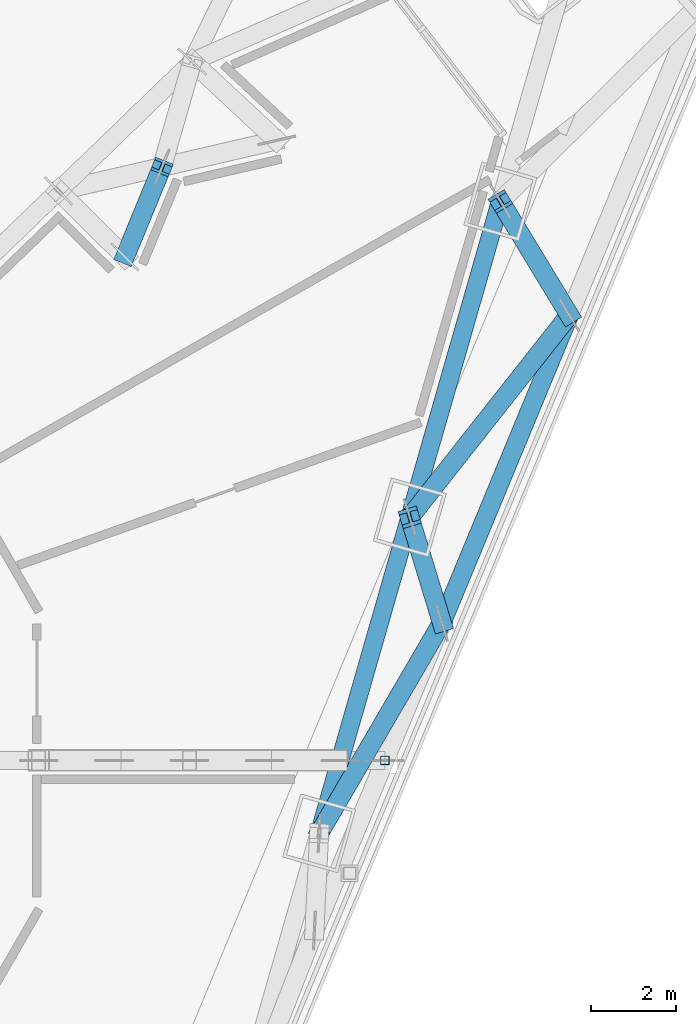
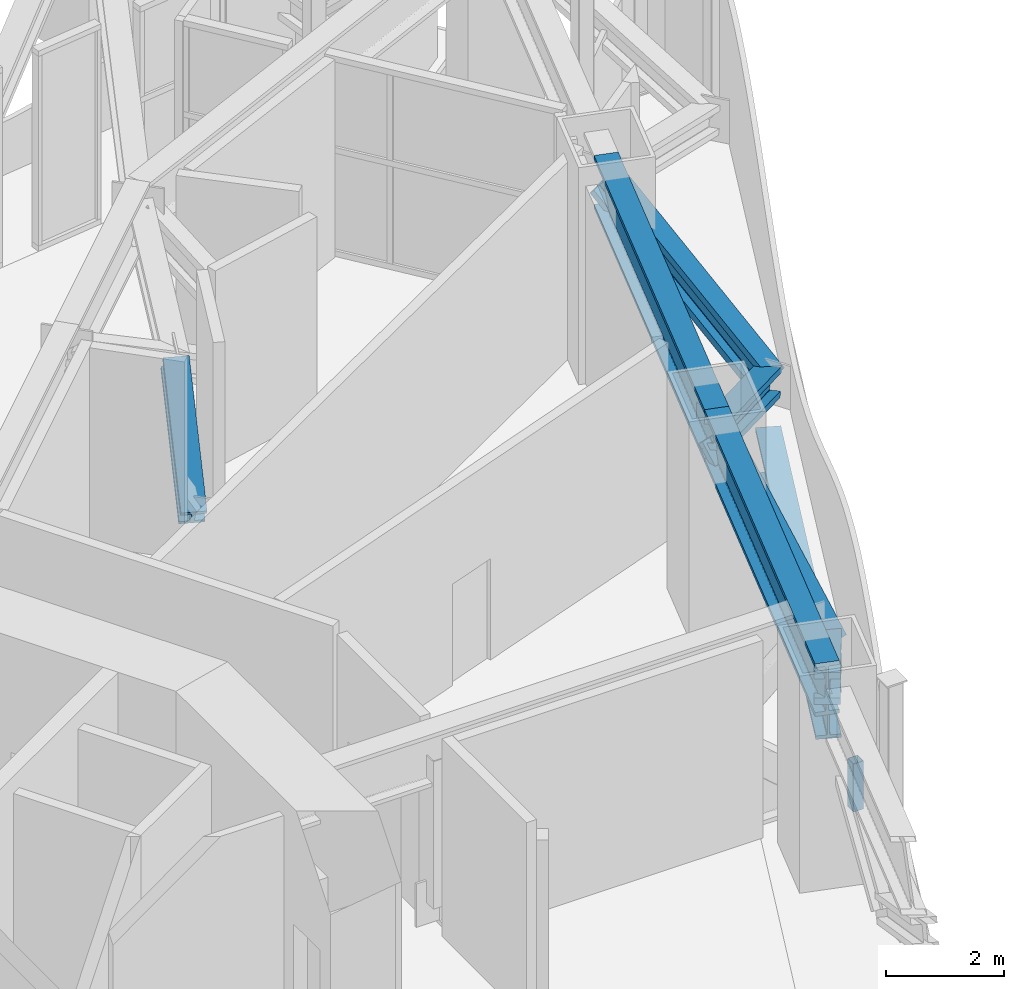
# One storey, part 8 of 31: 9 members.
"""IFC4 building model written with IfcOpenShell, lengths in metres."""

from ifc_helpers import new_model, si_unit, direction, frame, origin, origin_2d, place, context, subcontext, project, spatial, hollow_rectangle, i_section, extrude, material, material_profile, profile_set, type_object, element, save


model = new_model("IFC4")

# Units and contexts
model_context = context("Model", 3, precision=1e-05, world=origin(), true_north=direction((0.0, 1.0)))
body_context = subcontext(model_context, "Body", "Model", "MODEL_VIEW")
ifc_project = project(units=[si_unit("LENGTHUNIT", "METRE"), si_unit("AREAUNIT", "SQUARE_METRE"), si_unit("VOLUMEUNIT", "CUBIC_METRE"), si_unit("PLANEANGLEUNIT", "RADIAN"), si_unit("MASSUNIT", "GRAM", prefix="KILO")], contexts=[model_context])

# Site, building, storey
site_placement = place(None, origin())
site = spatial("IfcSite", under=ifc_project, at=site_placement, CompositionType="ELEMENT")
building_placement = place(site_placement, origin())
building = spatial("IfcBuilding", under=site, at=building_placement, Name="Trine Commons Tower", CompositionType="ELEMENT")
storey_placement = place(building_placement, frame((0.0, 0.0, 82.800048828125)))
storey = spatial("IfcBuildingStorey", under=building, at=storey_placement, Name="L20", CompositionType="ELEMENT", Elevation=82.800048828125)

# Members
ifc_material_1 = material(Name="Structural steel ASTM A992 Gr50", Category="steel")
ifc_material_profile_1 = material_profile(ifc_material_1, i_section(OverallWidth=0.44775390625, OverallDepth=0.54931640625, WebThickness=0.072021484375, FlangeThickness=0.11474609375, FilletRadius=0.01513671875, at=origin_2d()), Name="W14X665")
ifc_profile_set_1 = profile_set([ifc_material_profile_1], Name="Structural steel ASTM A992 Gr50")
member_type_1 = type_object("IfcMemberType", Name="Steel brace W14X665, ASTM A992 Gr50", PredefinedType="BRACE", material=ifc_profile_set_1)
member_1_placement = place(storey_placement, frame((105.976318359375, 73.010498046875, 0.504638671875), z_axis=(-0.368983278438, 0.608385120509, 0.702651325606), x_axis=(-0.855032691657, -0.518574099043, 0.0)))
element("IfcMember", 1, at=member_1_placement, inside=storey, type_object=member_type_1, Name="Belt truss brace T2-DG-35", PredefinedType="BRACE", context=body_context, shape_type="SweptSolid", body=[
    extrude(i_section(OverallWidth=0.44775390625, OverallDepth=0.54931640625, WebThickness=0.072021484375, FlangeThickness=0.11474609375, FilletRadius=0.01513671875, at=origin_2d()), origin(), (0.0, 0.0, 1.0), 4.41064453125),
])
member_2_placement = place(storey_placement, frame((102.96826171875, 65.74853515625, 0.504638671875), z_axis=(-0.187239478226, 0.614999923325, 0.765974198066), x_axis=(-0.956645457329, -0.291254989609, 0.0)))
element("IfcMember", 2, at=member_2_placement, inside=storey, type_object=member_type_1, Name="Belt truss brace T2-DG-37", PredefinedType="BRACE", context=body_context, shape_type="SweptSolid", body=[
    extrude(i_section(OverallWidth=0.44775390625, OverallDepth=0.54931640625, WebThickness=0.072021484375, FlangeThickness=0.11474609375, FilletRadius=0.01513671875, at=origin_2d()), origin(), (0.0, 0.0, 1.0), 4.0458984375),
])
member_3_placement = place(storey_placement, frame((105.976318359375, 73.010498046875, 0.504638671875), z_axis=(-0.551787936576, -0.699501395479, 0.454123188984), x_axis=(0.785128355008, -0.61933308176, 0.0)))
element("IfcMember", 3, at=member_3_placement, inside=storey, type_object=member_type_1, Name="Belt truss brace T2-DG-38", PredefinedType="BRACE", context=body_context, shape_type="SweptSolid", body=[
    extrude(i_section(OverallWidth=0.44775390625, OverallDepth=0.54931640625, WebThickness=0.072021484375, FlangeThickness=0.11474609375, FilletRadius=0.01513671875, at=origin_2d()), origin(), (0.0, 0.0, 1.0), 6.824462890625),
])
member_4_placement = place(storey_placement, frame((102.96826171875, 65.74853515625, 0.504638671875), z_axis=(-0.443276114931, -0.760579899442, 0.474367476221), x_axis=(0.863974367426, -0.503535790616, 0.0)))
element("IfcMember", 4, at=member_4_placement, inside=storey, type_object=member_type_1, Name="Belt truss brace T2-DG-40", PredefinedType="BRACE", context=body_context, shape_type="SweptSolid", body=[
    extrude(i_section(OverallWidth=0.44775390625, OverallDepth=0.54931640625, WebThickness=0.072021484375, FlangeThickness=0.11474609375, FilletRadius=0.01513671875, at=origin_2d()), origin(), (0.0, 0.0, 1.0), 6.533203125),
])
member_5_placement = place(storey_placement, frame((95.48828125, 74.384521484375, 0.504638671875), z_axis=(0.310320839181, 0.753896587218, 0.579086273841), x_axis=(-0.924724371624, 0.380637408205, 0.0)))
element("IfcMember", 5, at=member_5_placement, inside=storey, type_object=member_type_1, Name="Belt truss brace T2-DG-56a", PredefinedType="BRACE", context=body_context, shape_type="SweptSolid", body=[
    extrude(i_section(OverallWidth=0.44775390625, OverallDepth=0.54931640625, WebThickness=0.072021484375, FlangeThickness=0.11474609375, FilletRadius=0.01513671875, at=origin_2d()), origin(), (0.0, 0.0, 1.0), 2.814208984375),
])
ifc_material_profile_2 = material_profile(ifc_material_1, i_section(OverallWidth=0.43798828125, OverallDepth=1.009521484375, WebThickness=0.041015625, FlangeThickness=0.073974609375, FilletRadius=0.024169921875, at=origin_2d()), Name="W36X529")
ifc_profile_set_2 = profile_set([ifc_material_profile_2], Name="Structural steel ASTM A992 Gr50")
member_type_2 = type_object("IfcMemberType", Name="Steel chord W36X529, ASTM A992 Gr50", PredefinedType="CHORD", material=ifc_profile_set_2)
member_6_placement = place(storey_placement, frame((105.976318359375, 73.010498046875, -0.954833984375), z_axis=(-0.382689200876, -0.923877143095, 0.0), x_axis=(0.923877143095, -0.382689200876, 0.0)))
element("IfcMember", 6, at=member_6_placement, inside=storey, type_object=member_type_2, Name="Belt truss chord T2-LC-16", PredefinedType="CHORD", context=body_context, shape_type="SweptSolid", body=[
    extrude(i_section(OverallWidth=0.43798828125, OverallDepth=1.009521484375, WebThickness=0.041015625, FlangeThickness=0.073974609375, FilletRadius=0.024169921875, at=origin_2d()), origin(), (0.0, 0.0, 1.0), 7.8603515625),
])
ifc_material_profile_3 = material_profile(ifc_material_1, i_section(OverallWidth=0.42529296875, OverallDepth=1.09228515625, WebThickness=0.04541015625, FlangeThickness=0.08203125, FilletRadius=0.030029296875, at=origin_2d()), Name="W40X593")
ifc_profile_set_3 = profile_set([ifc_material_profile_3], Name="Structural steel ASTM A992 Gr50")
member_type_3 = type_object("IfcMemberType", Name="Steel chord W40X593, ASTM A992 Gr50", PredefinedType="CHORD", material=ifc_profile_set_3)
member_7_placement = place(storey_placement, frame((104.348876953125, 75.69384765625, 3.603759765625), z_axis=(-0.275627146761, -0.961264623279, 0.0), x_axis=(0.961264623279, -0.275627146761, 0.0)))
element("IfcMember", 7, at=member_7_placement, inside=storey, type_object=member_type_3, Name="Belt truss chord T2-UC-16", PredefinedType="CHORD", context=body_context, shape_type="SweptSolid", body=[
    extrude(i_section(OverallWidth=0.42529296875, OverallDepth=1.09228515625, WebThickness=0.04541015625, FlangeThickness=0.08203125, FilletRadius=0.030029296875, at=origin_2d()), origin(), (0.0, 0.0, 1.0), 7.757568359375),
])
member_8_placement = place(storey_placement, frame((102.210693359375, 68.23681640625, 3.603759765625), z_axis=(-0.275647888077, -0.961258675799, 0.0), x_axis=(0.961258675799, -0.275647888077, 0.0)))
element("IfcMember", 8, at=member_8_placement, inside=storey, type_object=member_type_3, Name="Belt truss chord T2-UC-17", PredefinedType="CHORD", context=body_context, shape_type="SweptSolid", body=[
    extrude(i_section(OverallWidth=0.42529296875, OverallDepth=1.09228515625, WebThickness=0.04541015625, FlangeThickness=0.08203125, FilletRadius=0.030029296875, at=origin_2d()), origin(), (0.0, 0.0, 1.0), 7.7578125),
])
ifc_material_2 = material(Name="Structural steel ASTM A500 Gr C", Category="steel")
ifc_material_profile_4 = material_profile(ifc_material_2, hollow_rectangle(XDim=0.203125, YDim=0.203125, WallThickness=0.0087890625, InnerFilletRadius=0.00439453125, OuterFilletRadius=0.013427734375, at=origin_2d()), Name="HSS8X8X3/8")
ifc_profile_set_4 = profile_set([ifc_material_profile_4], Name="Structural steel ASTM A500 Gr C")
member_type_4 = type_object("IfcMemberType", Name="Steel post HSS8X8X3/8, ASTM A500 Gr C", PredefinedType="POST", material=ifc_profile_set_4)
member_9_placement = place(storey_placement, frame((101.622802734375, 62.5, -0.449951171875), z_axis=(0.0, 0.0, 1.0), x_axis=(1.0, 0.0, 0.0)))
element("IfcMember", 9, at=member_9_placement, inside=storey, type_object=member_type_4, Name="Outrigger truss post T2-OS-03", PredefinedType="POST", context=body_context, shape_type="SweptSolid", body=[
    extrude(hollow_rectangle(XDim=0.203125, YDim=0.203125, WallThickness=0.0087890625, InnerFilletRadius=0.00439453125, OuterFilletRadius=0.013427734375, at=origin_2d()), origin(), (0.0, 0.0, 1.0), 0.99609375),
])

save(model, "model.ifc")
